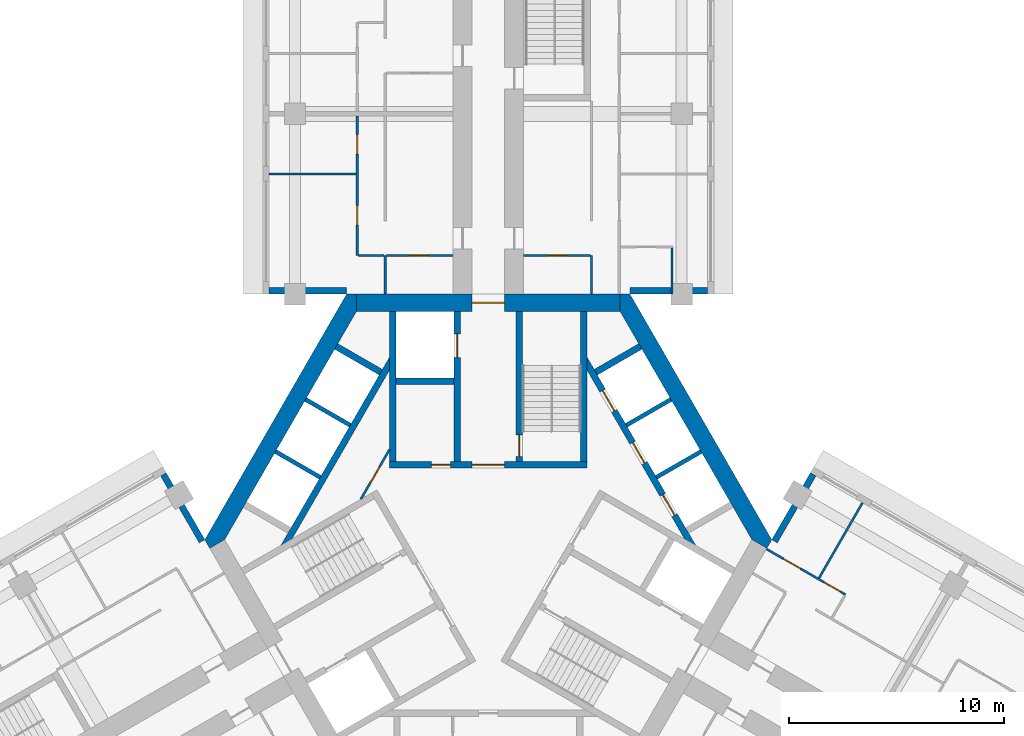
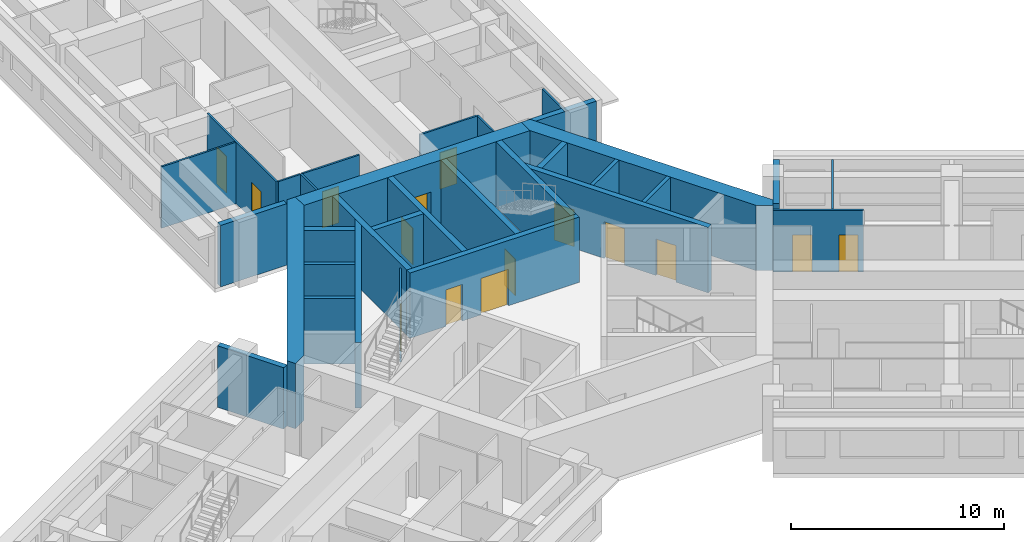
# One storey, part 8 of 14: 32 walls, 15 doors, 15 openings.
"""IFC4 building model written with IfcOpenShell, lengths in metres."""

from ifc_helpers import new_model, si_unit, direction, frame, frame_2d, origin, place, context, subcontext, project, spatial, polyline, rectangle, outline, extrude, material, layer, layer_set, type_object, element, fill, save


model = new_model("IFC4")

# Units and contexts
model_context = context("Model", 3, precision=1e-05, world=origin(), true_north=direction((0.0, 1.0)))
body_context = subcontext(model_context, "Body", "Model", "MODEL_VIEW")
ifc_project = project(units=[si_unit("LENGTHUNIT", "METRE"), si_unit("AREAUNIT", "SQUARE_METRE"), si_unit("VOLUMEUNIT", "CUBIC_METRE"), si_unit("PLANEANGLEUNIT", "RADIAN"), si_unit("MASSUNIT", "GRAM", prefix="KILO")], contexts=[model_context])

# Site, building, storey
site_placement = place(None, origin())
site = spatial("IfcSite", under=ifc_project, at=site_placement, CompositionType="ELEMENT")
building_placement = place(site_placement, origin())
building = spatial("IfcBuilding", under=site, at=building_placement, Name="Impinga Residences", CompositionType="ELEMENT")
storey_placement = place(building_placement, frame((0.0, 0.0, 128.5)))
storey = spatial("IfcBuildingStorey", under=building, at=storey_placement, Name="L31", CompositionType="ELEMENT", Elevation=128.5)

# Wall, opening, door
ifc_material_1 = material(Name="Concrete blockwork", Category="masonry")
ifc_layer_1 = layer(ifc_material_1, 0.10009765625)
ifc_layer_set_1 = layer_set([ifc_layer_1], Name="CP1 core room partition, blockwork 100")
wall_type_1 = type_object("IfcWallType", Name="CP1 core room partition, blockwork 100", PredefinedType="PARTITIONING", material=ifc_layer_set_1)
wall_1_placement = place(storey_placement, frame((-5.93359375, 1.885986328125, 0.0), z_axis=(0.0, 0.0, 1.0), x_axis=(0.500018294232, 0.866014841347, 0.0)))
wall_1 = element("IfcWall", 1, at=wall_1_placement, inside=storey, type_object=wall_type_1, Name="Core room partition, blockwork L31:CORE:high:FP", PredefinedType="PARTITIONING", context=body_context, shape_type="SweptSolid", body=[
    extrude(rectangle(XDim=2.6669921875, YDim=0.10009765625, at=frame_2d((1.33349609375, 0.0))), origin(), (0.0, 0.0, 1.0), 3.530029296875),
])
opening_1_placement = place(wall_1_placement, frame((0.883544921875, 0.0, 0.0)))
opening_1 = element("IfcOpeningElement", 2, at=opening_1_placement, cuts=wall_1, Name="Opening D6", PredefinedType="OPENING", context=body_context, shape_type="SweptSolid", body=[
    extrude(rectangle(XDim=0.89990234375, YDim=2.10009765625, at=frame_2d((0.449951171875, 1.050048828125))), frame((0.0, 0.06005859375, 0.0), z_axis=(0.0, -1.0, 0.0), x_axis=(1.0, 0.0, 0.0)), (0.0, 0.0, 1.0), 0.1201171875),
])
ifc_material_2 = material(Name="Timber door set", Category="wood")
door_type_1 = type_object("IfcDoorType", Name="D6 riser and store door 900x2100", OperationType="SINGLE_SWING_LEFT", PredefinedType="DOOR", material=ifc_material_2)
door_1_placement = place(opening_1_placement, origin())
door_1 = element("IfcDoor", 3, at=door_1_placement, inside=storey, type_object=door_type_1, Name="Residents' storage lockers door", OperationType="SINGLE_SWING_LEFT", OverallHeight=2.10009765625, OverallWidth=0.89990234375, PredefinedType="DOOR", context=body_context, shape_type="SweptSolid", body=[
    extrude(rectangle(XDim=0.89990234375, YDim=2.10009765625, at=frame_2d((0.449951171875, 1.050048828125))), frame((0.0, 0.02490234375, 0.0), z_axis=(0.0, -1.0, 0.0), x_axis=(1.0, 0.0, 0.0)), (0.0, 0.0, 1.0), 0.050048828125),
])
fill(opening_1, door_1)

# Walls
ifc_material_3 = material(Name="Terracotta rainscreen on blockwork", Category="masonry")
ifc_layer_2 = layer(ifc_material_3, 0.300048828125)
ifc_layer_set_2 = layer_set([ifc_layer_2], Name="EW1 external wall, terracotta rainscreen on blockwork 300")
wall_type_2 = type_object("IfcWallType", Name="EW1 external wall, terracotta rainscreen on blockwork 300", PredefinedType="SOLIDWALL", material=ifc_layer_set_2)
wall_2_placement = place(storey_placement, frame((-15.1298828125, 3.042724609375, 0.0), z_axis=(0.0, 0.0, 1.0), x_axis=(0.500012057535, -0.866018442252, 0.0)))
element("IfcWall", 4, at=wall_2_placement, inside=storey, type_object=wall_type_2, Name="External wall EW1 L31", PredefinedType="SOLIDWALL", context=body_context, shape_type="SweptSolid", body=[
    extrude(rectangle(XDim=3.60009765625, YDim=0.300048828125, at=frame_2d((1.800048828125, 0.0))), origin(), (0.0, 0.0, 1.0), 3.530029296875),
])
for number, where, z_axis, x_axis, name in (
    (5, (-6.60009765625, 11.58154296875, 0.0), (0.0, 0.0, 1.0), (-1.0, 0.0, 0.0), "External wall EW1 L31"),
    (6, (10.199951171875, 11.58154296875, 0.0), (0.0, 0.0, 1.0), (-1.0, 0.0, 0.0), "External wall EW1 L31"),
):
    element("IfcWall", number, at=place(storey_placement, frame(where, z_axis=z_axis, x_axis=x_axis)), inside=storey, type_object=wall_type_2, Name=name, PredefinedType="SOLIDWALL", context=body_context, shape_type="SweptSolid", body=[
        extrude(rectangle(XDim=3.599853515625, YDim=0.300048828125, at=frame_2d((1.7998046875, 0.0))), origin(), (0.0, 0.0, 1.0), 3.530029296875),
    ])
wall_3_placement = place(storey_placement, frame((13.329833984375, -0.074951171875, 0.0), z_axis=(0.0, 0.0, 1.0), x_axis=(0.500012057535, 0.866018442252, 0.0)))
element("IfcWall", 7, at=wall_3_placement, inside=storey, type_object=wall_type_2, Name="External wall EW1 L31", PredefinedType="SOLIDWALL", context=body_context, shape_type="SweptSolid", body=[
    extrude(rectangle(XDim=3.60009765625, YDim=0.300048828125, at=frame_2d((1.800048828125, 0.0))), origin(), (0.0, 0.0, 1.0), 3.530029296875),
])
ifc_material_4 = material(Name="Gypsum board on steel studs", Category="steel")
ifc_layer_3 = layer(ifc_material_4, 0.10009765625)
ifc_layer_set_3 = layer_set([ifc_layer_3], Name="Gypsum board on steel studs")
wall_type_3 = type_object("IfcWallType", Name="IP1 partition 100", PredefinedType="PARTITIONING", material=ifc_layer_set_3)
wall_4_placement = place(storey_placement, frame((-4.800048828125, 11.431640625, 0.0), z_axis=(0.0, 0.0, 1.0), x_axis=(0.0, 1.0, 0.0)))
element("IfcWall", 8, at=wall_4_placement, inside=storey, type_object=wall_type_3, Name="Partition L31-NA1:DIV0", PredefinedType="PARTITIONING", context=body_context, shape_type="SweptSolid", body=[
    extrude(rectangle(XDim=1.7998046875, YDim=0.10009765625, at=frame_2d((0.89990234375, 0.0))), origin(), (0.0, 0.0, 1.0), 3.530029296875),
])

# Wall, openings, doors
wall_5_placement = place(storey_placement, frame((-6.10009765625, 13.2314453125, 0.0), z_axis=(0.0, 0.0, 1.0), x_axis=(0.0, 1.0, 0.0)))
wall_5 = element("IfcWall", 9, at=wall_5_placement, inside=storey, type_object=wall_type_3, Name="Partition L31-NA1:STRIP", PredefinedType="PARTITIONING", context=body_context, shape_type="SweptSolid", body=[
    extrude(rectangle(XDim=6.5, YDim=0.10009765625, at=frame_2d((3.25, 0.0))), origin(), (0.0, 0.0, 1.0), 3.530029296875),
])
opening_2_placement = place(wall_5_placement, frame((1.425048828125, 0.0, 0.0)))
opening_2 = element("IfcOpeningElement", 10, at=opening_2_placement, cuts=wall_5, Name="Opening D2", PredefinedType="OPENING", context=body_context, shape_type="SweptSolid", body=[
    extrude(rectangle(XDim=0.89990234375, YDim=2.10009765625, at=frame_2d((0.449951171875, 1.050048828125))), frame((0.0, 0.06005859375, 0.0), z_axis=(0.0, -1.0, 0.0), x_axis=(1.0, 0.0, 0.0)), (0.0, 0.0, 1.0), 0.1201171875),
])
opening_3_placement = place(wall_5_placement, frame((4.72509765625, 0.0, 0.0)))
opening_3 = element("IfcOpeningElement", 11, at=opening_3_placement, cuts=wall_5, Name="Opening D2", PredefinedType="OPENING", context=body_context, shape_type="SweptSolid", body=[
    extrude(rectangle(XDim=0.89990234375, YDim=2.10009765625, at=frame_2d((0.449951171875, 1.050048828125))), frame((0.0, 0.06005859375, 0.0), z_axis=(0.0, -1.0, 0.0), x_axis=(1.0, 0.0, 0.0)), (0.0, 0.0, 1.0), 0.1201171875),
])
door_type_2 = type_object("IfcDoorType", Name="D2 internal door 900x2100", OperationType="SINGLE_SWING_LEFT", PredefinedType="DOOR", material=ifc_material_2)
door_2_placement = place(opening_2_placement, origin())
door_2 = element("IfcDoor", 12, at=door_2_placement, inside=storey, type_object=door_type_2, Name="Apartment L31-NA1 room door", OperationType="SINGLE_SWING_LEFT", OverallHeight=2.10009765625, OverallWidth=0.89990234375, PredefinedType="DOOR", context=body_context, shape_type="SweptSolid", body=[
    extrude(rectangle(XDim=0.89990234375, YDim=2.10009765625, at=frame_2d((0.449951171875, 1.050048828125))), frame((0.0, 0.02490234375, 0.0), z_axis=(0.0, -1.0, 0.0), x_axis=(1.0, 0.0, 0.0)), (0.0, 0.0, 1.0), 0.050048828125),
])
fill(opening_2, door_2)
door_3_placement = place(opening_3_placement, origin())
door_3 = element("IfcDoor", 13, at=door_3_placement, inside=storey, type_object=door_type_2, Name="Apartment L31-NA1 room door", OperationType="SINGLE_SWING_RIGHT", OverallHeight=2.10009765625, OverallWidth=0.89990234375, PredefinedType="DOOR", context=body_context, shape_type="SweptSolid", body=[
    extrude(rectangle(XDim=0.89990234375, YDim=2.10009765625, at=frame_2d((0.449951171875, 1.050048828125))), frame((0.0, 0.02490234375, 0.0), z_axis=(0.0, -1.0, 0.0), x_axis=(1.0, 0.0, 0.0)), (0.0, 0.0, 1.0), 0.050048828125),
])
fill(opening_3, door_3)

# Wall
wall_6_placement = place(storey_placement, frame((-4.85009765625, 13.2314453125, 0.0), z_axis=(0.0, 0.0, 1.0), x_axis=(-1.0, 0.0, 0.0)))
element("IfcWall", 14, at=wall_6_placement, inside=storey, type_object=wall_type_3, Name="Partition L31-NA1:SE0", PredefinedType="PARTITIONING", context=body_context, shape_type="SweptSolid", body=[
    extrude(rectangle(XDim=1.199951171875, YDim=0.10009765625, at=frame_2d((0.60009765625, 0.0))), origin(), (0.0, 0.0, 1.0), 3.530029296875),
])

# Wall, opening, door
wall_7_placement = place(storey_placement, frame((-1.64990234375, 13.2314453125, 0.0), z_axis=(0.0, 0.0, 1.0), x_axis=(-1.0, 0.0, 0.0)))
wall_7 = element("IfcWall", 15, at=wall_7_placement, inside=storey, type_object=wall_type_3, Name="Partition L31-NA1:IB1", PredefinedType="PARTITIONING", context=body_context, shape_type="SweptSolid", body=[
    extrude(rectangle(XDim=3.10009765625, YDim=0.10009765625, at=frame_2d((1.550048828125, 0.0))), origin(), (0.0, 0.0, 1.0), 3.530029296875),
])
opening_4_placement = place(wall_7_placement, frame((1.10009765625, 0.0, 0.0)))
opening_4 = element("IfcOpeningElement", 16, at=opening_4_placement, cuts=wall_7, Name="Opening D2", PredefinedType="OPENING", context=body_context, shape_type="SweptSolid", body=[
    extrude(rectangle(XDim=0.89990234375, YDim=2.10009765625, at=frame_2d((0.449951171875, 1.050048828125))), frame((0.0, 0.06005859375, 0.0), z_axis=(0.0, -1.0, 0.0), x_axis=(1.0, 0.0, 0.0)), (0.0, 0.0, 1.0), 0.1201171875),
])
door_4_placement = place(opening_4_placement, origin())
door_4 = element("IfcDoor", 17, at=door_4_placement, inside=storey, type_object=door_type_2, Name="Apartment L31-NA1 bathroom door", OperationType="SINGLE_SWING_LEFT", OverallHeight=2.10009765625, OverallWidth=0.89990234375, PredefinedType="DOOR", context=body_context, shape_type="SweptSolid", body=[
    extrude(rectangle(XDim=0.89990234375, YDim=2.10009765625, at=frame_2d((0.449951171875, 1.050048828125))), frame((0.0, 0.02490234375, 0.0), z_axis=(0.0, -1.0, 0.0), x_axis=(1.0, 0.0, 0.0)), (0.0, 0.0, 1.0), 0.050048828125),
])
fill(opening_4, door_4)

# Walls
wall_8_placement = place(storey_placement, frame((-6.14990234375, 17.031494140625, 0.0), z_axis=(0.0, 0.0, 1.0), x_axis=(-1.0, 0.0, 0.0)))
element("IfcWall", 18, at=wall_8_placement, inside=storey, type_object=wall_type_3, Name="Partition L31-NA1:OB1", PredefinedType="PARTITIONING", context=body_context, shape_type="SweptSolid", body=[
    extrude(rectangle(XDim=4.050048828125, YDim=0.10009765625, at=frame_2d((2.02490234375, 0.0))), origin(), (0.0, 0.0, 1.0), 3.530029296875),
])
wall_9_placement = place(storey_placement, frame((4.800048828125, 11.431640625, 0.0), z_axis=(0.0, 0.0, 1.0), x_axis=(0.0, 1.0, 0.0)))
element("IfcWall", 19, at=wall_9_placement, inside=storey, type_object=wall_type_3, Name="Partition L31-NF1:DIV0", PredefinedType="PARTITIONING", context=body_context, shape_type="SweptSolid", body=[
    extrude(rectangle(XDim=1.7998046875, YDim=0.10009765625, at=frame_2d((0.89990234375, 0.0))), origin(), (0.0, 0.0, 1.0), 3.530029296875),
])

# Wall, opening, door
wall_10_placement = place(storey_placement, frame((1.64990234375, 13.2314453125, 0.0), z_axis=(0.0, 0.0, 1.0), x_axis=(1.0, 0.0, 0.0)))
wall_10 = element("IfcWall", 20, at=wall_10_placement, inside=storey, type_object=wall_type_3, Name="Partition L31-NF1:IB1", PredefinedType="PARTITIONING", context=body_context, shape_type="SweptSolid", body=[
    extrude(rectangle(XDim=3.10009765625, YDim=0.10009765625, at=frame_2d((1.550048828125, 0.0))), origin(), (0.0, 0.0, 1.0), 3.530029296875),
])
opening_5_placement = place(wall_10_placement, frame((1.10009765625, 0.0, 0.0)))
opening_5 = element("IfcOpeningElement", 21, at=opening_5_placement, cuts=wall_10, Name="Opening D2", PredefinedType="OPENING", context=body_context, shape_type="SweptSolid", body=[
    extrude(rectangle(XDim=0.89990234375, YDim=2.10009765625, at=frame_2d((0.449951171875, 1.050048828125))), frame((0.0, 0.06005859375, 0.0), z_axis=(0.0, -1.0, 0.0), x_axis=(1.0, 0.0, 0.0)), (0.0, 0.0, 1.0), 0.1201171875),
])
door_5_placement = place(opening_5_placement, origin())
door_5 = element("IfcDoor", 22, at=door_5_placement, inside=storey, type_object=door_type_2, Name="Apartment L31-NF1 bathroom door", OperationType="SINGLE_SWING_LEFT", OverallHeight=2.10009765625, OverallWidth=0.89990234375, PredefinedType="DOOR", context=body_context, shape_type="SweptSolid", body=[
    extrude(rectangle(XDim=0.89990234375, YDim=2.10009765625, at=frame_2d((0.449951171875, 1.050048828125))), frame((0.0, 0.02490234375, 0.0), z_axis=(0.0, -1.0, 0.0), x_axis=(1.0, 0.0, 0.0)), (0.0, 0.0, 1.0), 0.050048828125),
])
fill(opening_5, door_5)

# Wall
wall_11_placement = place(storey_placement, frame((8.550048828125, 11.431640625, 0.0), z_axis=(0.0, 0.0, 1.0), x_axis=(0.0, 1.0, 0.0)))
element("IfcWall", 23, at=wall_11_placement, inside=storey, type_object=wall_type_3, Name="Partition L31-NF1:EN2", PredefinedType="PARTITIONING", context=body_context, shape_type="SweptSolid", body=[
    extrude(rectangle(XDim=2.14990234375, YDim=0.10009765625, at=frame_2d((1.074951171875, 0.0))), origin(), (0.0, 0.0, 1.0), 3.530029296875),
])

# Wall, openings, doors
wall_12_placement = place(storey_placement, frame((12.949951171875, -0.43310546875, 0.0), z_axis=(0.0, 0.0, 1.0), x_axis=(0.866028703517, -0.499994284652, 0.0)))
wall_12 = element("IfcWall", 24, at=wall_12_placement, inside=storey, type_object=wall_type_3, Name="Partition L31-EA1:STRIP", PredefinedType="PARTITIONING", context=body_context, shape_type="SweptSolid", body=[
    extrude(rectangle(XDim=4.25, YDim=0.10009765625, at=frame_2d((2.125, 0.0))), origin(), (0.0, 0.0, 1.0), 3.530029296875),
])
opening_6_placement = place(wall_12_placement, frame((0.925048828125, 0.0, 0.0)))
opening_6 = element("IfcOpeningElement", 25, at=opening_6_placement, cuts=wall_12, Name="Opening D2", PredefinedType="OPENING", context=body_context, shape_type="SweptSolid", body=[
    extrude(rectangle(XDim=0.89990234375, YDim=2.10009765625, at=frame_2d((0.449951171875, 1.050048828125))), frame((0.0, 0.06005859375, 0.0), z_axis=(0.0, -1.0, 0.0), x_axis=(1.0, 0.0, 0.0)), (0.0, 0.0, 1.0), 0.1201171875),
])
opening_7_placement = place(wall_12_placement, frame((3.10009765625, 0.0, 0.0)))
opening_7 = element("IfcOpeningElement", 26, at=opening_7_placement, cuts=wall_12, Name="Opening D2", PredefinedType="OPENING", context=body_context, shape_type="SweptSolid", body=[
    extrude(rectangle(XDim=0.89990234375, YDim=2.10009765625, at=frame_2d((0.449951171875, 1.050048828125))), frame((0.0, 0.06005859375, 0.0), z_axis=(0.0, -1.0, 0.0), x_axis=(1.0, 0.0, 0.0)), (0.0, 0.0, 1.0), 0.1201171875),
])
door_6_placement = place(opening_6_placement, origin())
door_6 = element("IfcDoor", 27, at=door_6_placement, inside=storey, type_object=door_type_2, Name="Apartment L31-EA1 room door", OperationType="SINGLE_SWING_LEFT", OverallHeight=2.10009765625, OverallWidth=0.89990234375, PredefinedType="DOOR", context=body_context, shape_type="SweptSolid", body=[
    extrude(rectangle(XDim=0.89990234375, YDim=2.10009765625, at=frame_2d((0.449951171875, 1.050048828125))), frame((0.0, 0.02490234375, 0.0), z_axis=(0.0, -1.0, 0.0), x_axis=(1.0, 0.0, 0.0)), (0.0, 0.0, 1.0), 0.050048828125),
])
fill(opening_6, door_6)
door_7_placement = place(opening_7_placement, origin())
door_7 = element("IfcDoor", 28, at=door_7_placement, inside=storey, type_object=door_type_2, Name="Apartment L31-EA1 room door", OperationType="SINGLE_SWING_RIGHT", OverallHeight=2.10009765625, OverallWidth=0.89990234375, PredefinedType="DOOR", context=body_context, shape_type="SweptSolid", body=[
    extrude(rectangle(XDim=0.89990234375, YDim=2.10009765625, at=frame_2d((0.449951171875, 1.050048828125))), frame((0.0, 0.02490234375, 0.0), z_axis=(0.0, -1.0, 0.0), x_axis=(1.0, 0.0, 0.0)), (0.0, 0.0, 1.0), 0.050048828125),
])
fill(opening_7, door_7)

# Wall
wall_13_placement = place(storey_placement, frame((15.39990234375, -1.789794921875, 0.0), z_axis=(0.0, 0.0, 1.0), x_axis=(0.499964223975, 0.866046058097, 0.0)))
element("IfcWall", 29, at=wall_13_placement, inside=storey, type_object=wall_type_3, Name="Partition L31-EA1:OB1", PredefinedType="PARTITIONING", context=body_context, shape_type="SweptSolid", body=[
    extrude(rectangle(XDim=4.050048828125, YDim=0.10009765625, at=frame_2d((2.02490234375, 0.0))), origin(), (0.0, 0.0, 1.0), 3.530029296875),
])

# Wall, opening, door
ifc_material_5 = material(Name="Concrete C60/75", Category="concrete")
ifc_layer_4 = layer(ifc_material_5, 0.800048828125)
ifc_layer_set_4 = layer_set([ifc_layer_4], Name="Concrete C60/75")
wall_type_4 = type_object("IfcWallType", Name="SW2 core wall 800", PredefinedType="SHEAR", material=ifc_layer_set_4)
wall_14_placement = place(storey_placement, frame((-6.13818359375, 11.031494140625, 0.0), z_axis=(0.0, 0.0, 1.0), x_axis=(1.0, 0.0, 0.0)))
wall_14 = element("IfcWall", 30, at=wall_14_placement, inside=storey, type_object=wall_type_4, Name="Core wall SW2 N:FACE L31", PredefinedType="SHEAR", context=body_context, shape_type="SweptSolid", body=[
    extrude(rectangle(XDim=12.2763671875, YDim=0.800048828125, at=frame_2d((6.13818359375, 0.0))), origin(), (0.0, 0.0, 1.0), 3.75),
])
opening_8_placement = place(wall_14_placement, frame((5.38818359375, 0.0, 0.0)))
opening_8 = element("IfcOpeningElement", 31, at=opening_8_placement, cuts=wall_14, Name="Opening D4", PredefinedType="OPENING", context=body_context, shape_type="SweptSolid", body=[
    extrude(rectangle(XDim=1.5, YDim=2.10009765625, at=frame_2d((0.75, 1.050048828125))), frame((0.0, 0.409912109375, 0.0), z_axis=(0.0, -1.0, 0.0), x_axis=(1.0, 0.0, 0.0)), (0.0, 0.0, 1.0), 0.820068359375),
])
door_type_3 = type_object("IfcDoorType", Name="D4 lobby door pair 1500x2100", OperationType="DOUBLE_DOOR_DOUBLE_SWING", PredefinedType="DOOR", material=ifc_material_2)
door_8_placement = place(opening_8_placement, origin())
door_8 = element("IfcDoor", 32, at=door_8_placement, inside=storey, type_object=door_type_3, Name="Lobby door N", OperationType="DOUBLE_DOOR_DOUBLE_SWING", OverallHeight=2.10009765625, OverallWidth=1.5, PredefinedType="DOOR", context=body_context, shape_type="SweptSolid", body=[
    extrude(rectangle(XDim=1.5, YDim=2.10009765625, at=frame_2d((0.75, 1.050048828125))), frame((0.0, 0.02490234375, 0.0), z_axis=(0.0, -1.0, 0.0), x_axis=(1.0, 0.0, 0.0)), (0.0, 0.0, 1.0), 0.050048828125),
])
fill(opening_8, door_8)

# Walls
wall_15_placement = place(storey_placement, origin())
element("IfcWall", 33, at=wall_15_placement, inside=storey, type_object=wall_type_4, Name="Core wall SW2 W:EXPOSED L31", PredefinedType="SHEAR", context=body_context, shape_type="SweptSolid", body=[
    extrude(outline(polyline([(13.199951171875, 0.0), (6.60009765625, 11.431640625), (6.13818359375, 11.431640625), (6.13818359375, 10.631591796875), (12.276123046875, 0.0), (12.968994140625, -0.39990234375), (13.199951171875, 0.0)])), origin(), (0.0, 0.0, 1.0), 3.75),
])
wall_16_placement = place(storey_placement, origin())
element("IfcWall", 34, at=wall_16_placement, inside=storey, type_object=wall_type_4, Name="Core wall SW2 E:EXPOSED L31", PredefinedType="SHEAR", context=body_context, shape_type="SweptSolid", body=[
    extrude(outline(polyline([(-6.60009765625, 11.431640625), (-13.199951171875, 0.0), (-12.968994140625, -0.39990234375), (-12.276123046875, 0.0), (-6.13818359375, 10.631591796875), (-6.13818359375, 11.431640625), (-6.60009765625, 11.431640625)])), origin(), (0.0, 0.0, 1.0), 3.75),
])

# Wall, openings, doors
ifc_material_6 = material(Name="Concrete C70/85", Category="concrete")
ifc_layer_5 = layer(ifc_material_6, 0.300048828125)
ifc_layer_set_5 = layer_set([ifc_layer_5], Name="Concrete C70/85")
wall_type_5 = type_object("IfcWallType", Name="SW5 core inner wall, stairs, shafts and lobbies 300", PredefinedType="SHEAR", material=ifc_layer_set_5)
wall_17_placement = place(storey_placement, frame((-4.60009765625, 3.47998046875, 0.0), z_axis=(0.0, 0.0, 1.0), x_axis=(1.0, 0.0, 0.0)))
wall_17 = element("IfcWall", 35, at=wall_17_placement, inside=storey, type_object=wall_type_5, Name="Core wall SW5 N:ZONE L31", PredefinedType="SHEAR", context=body_context, shape_type="SweptSolid", body=[
    extrude(rectangle(XDim=9.2001953125, YDim=0.300048828125, at=frame_2d((4.60009765625, 0.0))), origin(), (0.0, 0.0, 1.0), 3.75),
])
opening_9_placement = place(wall_17_placement, frame((3.85009765625, 0.0, 0.0)))
opening_9 = element("IfcOpeningElement", 36, at=opening_9_placement, cuts=wall_17, Name="Opening D4", PredefinedType="OPENING", context=body_context, shape_type="SweptSolid", body=[
    extrude(rectangle(XDim=1.5, YDim=2.10009765625, at=frame_2d((0.75, 1.050048828125))), frame((0.0, 0.159912109375, 0.0), z_axis=(0.0, -1.0, 0.0), x_axis=(1.0, 0.0, 0.0)), (0.0, 0.0, 1.0), 0.320068359375),
])
opening_10_placement = place(wall_17_placement, frame((1.949951171875, 0.0, 0.0)))
opening_10 = element("IfcOpeningElement", 37, at=opening_10_placement, cuts=wall_17, Name="Opening D6", PredefinedType="OPENING", context=body_context, shape_type="SweptSolid", body=[
    extrude(rectangle(XDim=0.89990234375, YDim=2.10009765625, at=frame_2d((0.449951171875, 1.050048828125))), frame((0.0, 0.159912109375, 0.0), z_axis=(0.0, -1.0, 0.0), x_axis=(1.0, 0.0, 0.0)), (0.0, 0.0, 1.0), 0.320068359375),
])
door_9_placement = place(opening_9_placement, origin())
door_9 = element("IfcDoor", 38, at=door_9_placement, inside=storey, type_object=door_type_3, Name="Firefighting lobby door N", OperationType="DOUBLE_DOOR_DOUBLE_SWING", OverallHeight=2.10009765625, OverallWidth=1.5, PredefinedType="DOOR", context=body_context, shape_type="SweptSolid", body=[
    extrude(rectangle(XDim=1.5, YDim=2.10009765625, at=frame_2d((0.75, 1.050048828125))), frame((0.0, 0.02490234375, 0.0), z_axis=(0.0, -1.0, 0.0), x_axis=(1.0, 0.0, 0.0)), (0.0, 0.0, 1.0), 0.050048828125),
])
fill(opening_9, door_9)
door_10_placement = place(opening_10_placement, origin())
door_10 = element("IfcDoor", 39, at=door_10_placement, inside=storey, type_object=door_type_1, Name="Riser door N", OperationType="SINGLE_SWING_LEFT", OverallHeight=2.10009765625, OverallWidth=0.89990234375, PredefinedType="DOOR", context=body_context, shape_type="SweptSolid", body=[
    extrude(rectangle(XDim=0.89990234375, YDim=2.10009765625, at=frame_2d((0.449951171875, 1.050048828125))), frame((0.0, 0.02490234375, 0.0), z_axis=(0.0, -1.0, 0.0), x_axis=(1.0, 0.0, 0.0)), (0.0, 0.0, 1.0), 0.050048828125),
])
fill(opening_10, door_10)

# Wall, opening, door
wall_18_placement = place(storey_placement, frame((1.449951171875, 3.6298828125, 0.0), z_axis=(0.0, 0.0, 1.0), x_axis=(0.0, 1.0, 0.0)))
wall_18 = element("IfcWall", 40, at=wall_18_placement, inside=storey, type_object=wall_type_5, Name="Core wall SW5 N:ST-IN L31", PredefinedType="SHEAR", context=body_context, shape_type="SweptSolid", body=[
    extrude(rectangle(XDim=7.001708984375, YDim=0.300048828125, at=frame_2d((3.5009765625, 0.0))), origin(), (0.0, 0.0, 1.0), 3.75),
])
opening_11_placement = place(wall_18_placement, frame((0.25, 0.0, 0.0)))
opening_11 = element("IfcOpeningElement", 41, at=opening_11_placement, cuts=wall_18, Name="Opening D5", PredefinedType="OPENING", context=body_context, shape_type="SweptSolid", body=[
    extrude(rectangle(XDim=1.0, YDim=2.10009765625, at=frame_2d((0.5, 1.050048828125))), frame((0.0, 0.159912109375, 0.0), z_axis=(0.0, -1.0, 0.0), x_axis=(1.0, 0.0, 0.0)), (0.0, 0.0, 1.0), 0.320068359375),
])
door_type_4 = type_object("IfcDoorType", Name="D5 stair door 1000x2100", OperationType="SINGLE_SWING_LEFT", PredefinedType="DOOR", material=ifc_material_2)
door_11_placement = place(opening_11_placement, origin())
door_11 = element("IfcDoor", 42, at=door_11_placement, inside=storey, type_object=door_type_4, Name="Stair door N", OperationType="SINGLE_SWING_LEFT", OverallHeight=2.10009765625, OverallWidth=1.0, PredefinedType="DOOR", context=body_context, shape_type="SweptSolid", body=[
    extrude(rectangle(XDim=1.0, YDim=2.10009765625, at=frame_2d((0.5, 1.050048828125))), frame((0.0, 0.02490234375, 0.0), z_axis=(0.0, -1.0, 0.0), x_axis=(1.0, 0.0, 0.0)), (0.0, 0.0, 1.0), 0.050048828125),
])
fill(opening_11, door_11)

# Wall
wall_19_placement = place(storey_placement, frame((4.449951171875, 3.6298828125, 0.0), z_axis=(0.0, 0.0, 1.0), x_axis=(0.0, 1.0, 0.0)))
element("IfcWall", 43, at=wall_19_placement, inside=storey, type_object=wall_type_5, Name="Core wall SW5 N:ST-OUT L31", PredefinedType="SHEAR", context=body_context, shape_type="SweptSolid", body=[
    extrude(rectangle(XDim=7.001708984375, YDim=0.300048828125, at=frame_2d((3.5009765625, 0.0))), origin(), (0.0, 0.0, 1.0), 3.75),
])

# Wall, opening, door
wall_20_placement = place(storey_placement, frame((-1.449951171875, 3.6298828125, 0.0), z_axis=(0.0, 0.0, 1.0), x_axis=(0.0, 1.0, 0.0)))
wall_20 = element("IfcWall", 44, at=wall_20_placement, inside=storey, type_object=wall_type_5, Name="Core wall SW5 N:FF-IN L31", PredefinedType="SHEAR", context=body_context, shape_type="SweptSolid", body=[
    extrude(rectangle(XDim=7.001708984375, YDim=0.300048828125, at=frame_2d((3.5009765625, 0.0))), origin(), (0.0, 0.0, 1.0), 3.75),
])
opening_12_placement = place(wall_20_placement, frame((4.85009765625, 0.0, 0.0)))
opening_12 = element("IfcOpeningElement", 45, at=opening_12_placement, cuts=wall_20, Name="Opening LD2", PredefinedType="OPENING", context=body_context, shape_type="SweptSolid", body=[
    extrude(rectangle(XDim=1.10009765625, YDim=2.10009765625, at=frame_2d((0.550048828125, 1.050048828125))), frame((0.0, 0.159912109375, 0.0), z_axis=(0.0, -1.0, 0.0), x_axis=(1.0, 0.0, 0.0)), (0.0, 0.0, 1.0), 0.320068359375),
])
ifc_material_7 = material(Name="Steel lift landing door", Category="steel")
door_type_5 = type_object("IfcDoorType", Name="LD2 firefighting lift landing door 1100x2100", OperationType="DOUBLE_DOOR_SLIDING", PredefinedType="DOOR", material=ifc_material_7)
door_12_placement = place(opening_12_placement, origin())
door_12 = element("IfcDoor", 46, at=door_12_placement, inside=storey, type_object=door_type_5, Name="Firefighting lift landing door F1", OperationType="DOUBLE_DOOR_SLIDING", OverallHeight=2.10009765625, OverallWidth=1.10009765625, PredefinedType="DOOR", context=body_context, shape_type="SweptSolid", body=[
    extrude(rectangle(XDim=1.10009765625, YDim=2.10009765625, at=frame_2d((0.550048828125, 1.050048828125))), frame((0.0, 0.02490234375, 0.0), z_axis=(0.0, -1.0, 0.0), x_axis=(1.0, 0.0, 0.0)), (0.0, 0.0, 1.0), 0.050048828125),
])
fill(opening_12, door_12)

# Walls
wall_21_placement = place(storey_placement, frame((-4.449951171875, 3.6298828125, 0.0), z_axis=(0.0, 0.0, 1.0), x_axis=(0.0, 1.0, 0.0)))
element("IfcWall", 47, at=wall_21_placement, inside=storey, type_object=wall_type_5, Name="Core wall SW5 N:FF-OUT L31", PredefinedType="SHEAR", context=body_context, shape_type="SweptSolid", body=[
    extrude(rectangle(XDim=7.001708984375, YDim=0.300048828125, at=frame_2d((3.5009765625, 0.0))), origin(), (0.0, 0.0, 1.0), 3.75),
])
wall_22_placement = place(storey_placement, frame((-4.300048828125, 7.3798828125, 0.0), z_axis=(0.0, 0.0, 1.0), x_axis=(1.0, 0.0, 0.0)))
element("IfcWall", 48, at=wall_22_placement, inside=storey, type_object=wall_type_5, Name="Core wall SW5 N:FF-RS L31", PredefinedType="SHEAR", context=body_context, shape_type="SweptSolid", body=[
    extrude(rectangle(XDim=2.699951171875, YDim=0.300048828125, at=frame_2d((1.35009765625, 0.0))), origin(), (0.0, 0.0, 1.0), 3.75),
])

# Wall, openings, doors
wall_23_placement = place(storey_placement, frame((4.449951171875, 8.455322265625, 0.0), z_axis=(0.0, 0.0, 1.0), x_axis=(0.500002290144, -0.866024081565, 0.0)))
wall_23 = element("IfcWall", 49, at=wall_23_placement, inside=storey, type_object=wall_type_5, Name="Core wall SW5 W:BANK-FRONT L31", PredefinedType="SHEAR", context=body_context, shape_type="SweptSolid", body=[
    extrude(rectangle(XDim=10.1953125, YDim=0.300048828125, at=frame_2d((5.09765625, 0.0))), origin(), (0.0, 0.0, 1.0), 3.75),
])
opening_13_placement = place(wall_23_placement, frame((1.74755859375, 0.0, 0.0)))
opening_13 = element("IfcOpeningElement", 50, at=opening_13_placement, cuts=wall_23, Name="Opening LD1", PredefinedType="OPENING", context=body_context, shape_type="SweptSolid", body=[
    extrude(rectangle(XDim=1.10009765625, YDim=2.10009765625, at=frame_2d((0.550048828125, 1.050048828125))), frame((0.0, 0.159912109375, 0.0), z_axis=(0.0, -1.0, 0.0), x_axis=(1.0, 0.0, 0.0)), (0.0, 0.0, 1.0), 0.320068359375),
])
opening_14_placement = place(wall_23_placement, frame((4.547607421875, 0.0, 0.0)))
opening_14 = element("IfcOpeningElement", 51, at=opening_14_placement, cuts=wall_23, Name="Opening LD1", PredefinedType="OPENING", context=body_context, shape_type="SweptSolid", body=[
    extrude(rectangle(XDim=1.10009765625, YDim=2.10009765625, at=frame_2d((0.550048828125, 1.050048828125))), frame((0.0, 0.159912109375, 0.0), z_axis=(0.0, -1.0, 0.0), x_axis=(1.0, 0.0, 0.0)), (0.0, 0.0, 1.0), 0.320068359375),
])
opening_15_placement = place(wall_23_placement, frame((7.34765625, 0.0, 0.0)))
opening_15 = element("IfcOpeningElement", 52, at=opening_15_placement, cuts=wall_23, Name="Opening LD1", PredefinedType="OPENING", context=body_context, shape_type="SweptSolid", body=[
    extrude(rectangle(XDim=1.10009765625, YDim=2.10009765625, at=frame_2d((0.550048828125, 1.050048828125))), frame((0.0, 0.159912109375, 0.0), z_axis=(0.0, -1.0, 0.0), x_axis=(1.0, 0.0, 0.0)), (0.0, 0.0, 1.0), 0.320068359375),
])
door_type_6 = type_object("IfcDoorType", Name="LD1 passenger lift landing door 1100x2100", OperationType="DOUBLE_DOOR_SLIDING", PredefinedType="DOOR", material=ifc_material_7)
door_13_placement = place(opening_13_placement, origin())
door_13 = element("IfcDoor", 53, at=door_13_placement, inside=storey, type_object=door_type_6, Name="Lift landing door P4", OperationType="DOUBLE_DOOR_SLIDING", OverallHeight=2.10009765625, OverallWidth=1.10009765625, PredefinedType="DOOR", context=body_context, shape_type="SweptSolid", body=[
    extrude(rectangle(XDim=1.10009765625, YDim=2.10009765625, at=frame_2d((0.550048828125, 1.050048828125))), frame((0.0, 0.02490234375, 0.0), z_axis=(0.0, -1.0, 0.0), x_axis=(1.0, 0.0, 0.0)), (0.0, 0.0, 1.0), 0.050048828125),
])
fill(opening_13, door_13)
door_14_placement = place(opening_14_placement, origin())
door_14 = element("IfcDoor", 54, at=door_14_placement, inside=storey, type_object=door_type_6, Name="Lift landing door P5", OperationType="DOUBLE_DOOR_SLIDING", OverallHeight=2.10009765625, OverallWidth=1.10009765625, PredefinedType="DOOR", context=body_context, shape_type="SweptSolid", body=[
    extrude(rectangle(XDim=1.10009765625, YDim=2.10009765625, at=frame_2d((0.550048828125, 1.050048828125))), frame((0.0, 0.02490234375, 0.0), z_axis=(0.0, -1.0, 0.0), x_axis=(1.0, 0.0, 0.0)), (0.0, 0.0, 1.0), 0.050048828125),
])
fill(opening_14, door_14)
door_15_placement = place(opening_15_placement, origin())
door_15 = element("IfcDoor", 55, at=door_15_placement, inside=storey, type_object=door_type_6, Name="Lift landing door P6", OperationType="DOUBLE_DOOR_SLIDING", OverallHeight=2.10009765625, OverallWidth=1.10009765625, PredefinedType="DOOR", context=body_context, shape_type="SweptSolid", body=[
    extrude(rectangle(XDim=1.10009765625, YDim=2.10009765625, at=frame_2d((0.550048828125, 1.050048828125))), frame((0.0, 0.02490234375, 0.0), z_axis=(0.0, -1.0, 0.0), x_axis=(1.0, 0.0, 0.0)), (0.0, 0.0, 1.0), 0.050048828125),
])
fill(opening_15, door_15)

# Walls
wall_24_placement = place(storey_placement, frame((5.003662109375, 7.79638671875, 0.0), z_axis=(0.0, 0.0, 1.0), x_axis=(0.866050077142, 0.499957262057, 0.0)))
element("IfcWall", 56, at=wall_24_placement, inside=storey, type_object=wall_type_5, Name="Core wall SW5 W:BANK-L L31", PredefinedType="SHEAR", context=body_context, shape_type="SweptSolid", body=[
    extrude(rectangle(XDim=2.400146484375, YDim=0.300048828125, at=frame_2d((1.2001953125, 0.0))), origin(), (0.0, 0.0, 1.0), 3.75),
])
wall_25_placement = place(storey_placement, frame((-9.547607421875, -0.3740234375, 0.0), z_axis=(0.0, 0.0, 1.0), x_axis=(0.500002290144, 0.866024081565, 0.0)))
element("IfcWall", 57, at=wall_25_placement, inside=storey, type_object=wall_type_5, Name="Core wall SW5 E:BANK-FRONT L31", PredefinedType="SHEAR", context=body_context, shape_type="SweptSolid", body=[
    extrude(rectangle(XDim=10.1953125, YDim=0.300048828125, at=frame_2d((5.09765625, 0.0))), origin(), (0.0, 0.0, 1.0), 3.75),
])
wall_26_placement = place(storey_placement, frame((-5.003662109375, 7.79638671875, 0.0), z_axis=(0.0, 0.0, 1.0), x_axis=(-0.866050077142, 0.499957262057, 0.0)))
element("IfcWall", 58, at=wall_26_placement, inside=storey, type_object=wall_type_5, Name="Core wall SW5 E:BANK-R L31", PredefinedType="SHEAR", context=body_context, shape_type="SweptSolid", body=[
    extrude(rectangle(XDim=2.400146484375, YDim=0.300048828125, at=frame_2d((1.2001953125, 0.0))), origin(), (0.0, 0.0, 1.0), 3.75),
])
ifc_layer_6 = layer(ifc_material_6, 0.199951171875)
ifc_layer_set_6 = layer_set([ifc_layer_6], Name="Concrete C70/85")
wall_type_6 = type_object("IfcWallType", Name="SW6 lift shaft divider wall 200", PredefinedType="SHEAR", material=ifc_layer_set_6)
wall_27_placement = place(storey_placement, frame((6.4287109375, 5.328125, 0.0), z_axis=(0.0, 0.0, 1.0), x_axis=(0.865980596518, 0.500077600433, 0.0)))
element("IfcWall", 59, at=wall_27_placement, inside=storey, type_object=wall_type_6, Name="Core wall SW6 W:BANK-D1 L31", PredefinedType="SHEAR", context=body_context, shape_type="SweptSolid", body=[
    extrude(rectangle(XDim=2.39990234375, YDim=0.199951171875, at=frame_2d((1.199951171875, 0.0))), origin(), (0.0, 0.0, 1.0), 3.75),
])
for number, where, z_axis, x_axis, name in (
    (60, (7.82861328125, 2.9033203125, 0.0), (0.0, 0.0, 1.0), (0.866050077142, 0.499957262057, 0.0), "Core wall SW6 W:BANK-D2 L31"),
    (61, (-7.82861328125, 2.9033203125, 0.0), (0.0, 0.0, 1.0), (-0.866050077142, 0.499957262057, 0.0), "Core wall SW6 E:BANK-D1 L31"),
):
    element("IfcWall", number, at=place(storey_placement, frame(where, z_axis=z_axis, x_axis=x_axis)), inside=storey, type_object=wall_type_6, Name=name, PredefinedType="SHEAR", context=body_context, shape_type="SweptSolid", body=[
        extrude(rectangle(XDim=2.400146484375, YDim=0.199951171875, at=frame_2d((1.2001953125, 0.0))), origin(), (0.0, 0.0, 1.0), 3.75),
    ])
wall_28_placement = place(storey_placement, frame((-6.4287109375, 5.328125, 0.0), z_axis=(0.0, 0.0, 1.0), x_axis=(-0.865980596518, 0.500077600433, 0.0)))
element("IfcWall", 62, at=wall_28_placement, inside=storey, type_object=wall_type_6, Name="Core wall SW6 E:BANK-D2 L31", PredefinedType="SHEAR", context=body_context, shape_type="SweptSolid", body=[
    extrude(rectangle(XDim=2.39990234375, YDim=0.199951171875, at=frame_2d((1.199951171875, 0.0))), origin(), (0.0, 0.0, 1.0), 3.75),
])

save(model, "model.ifc")
